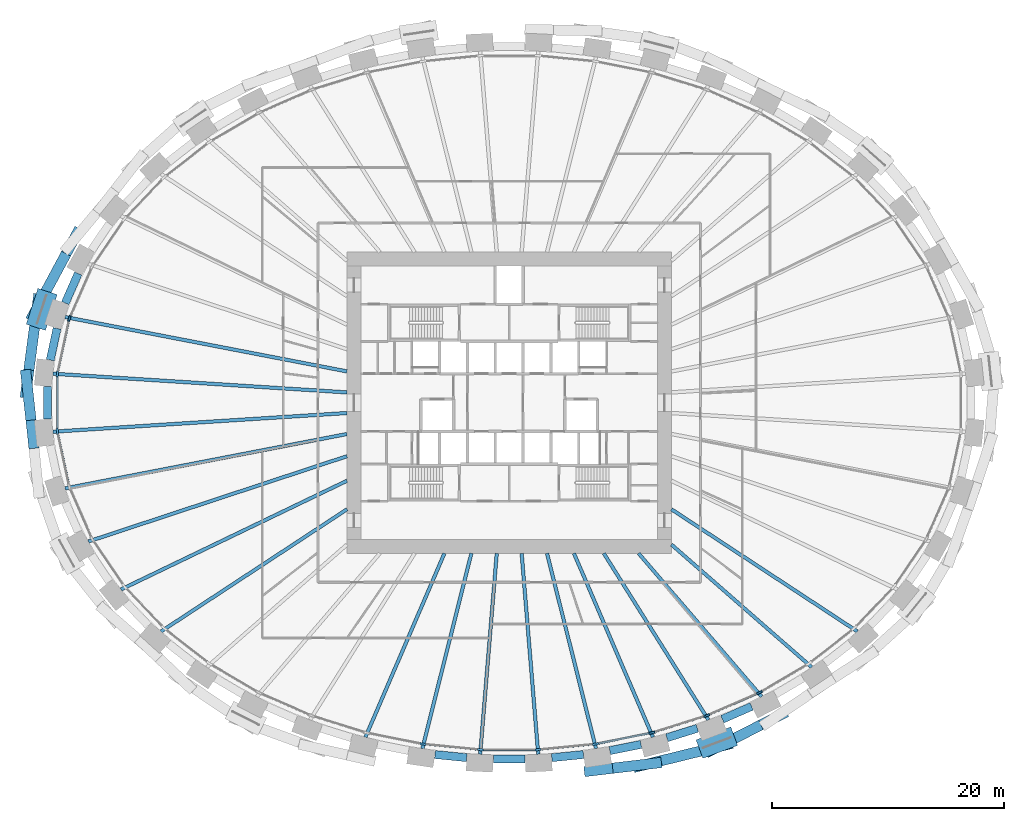
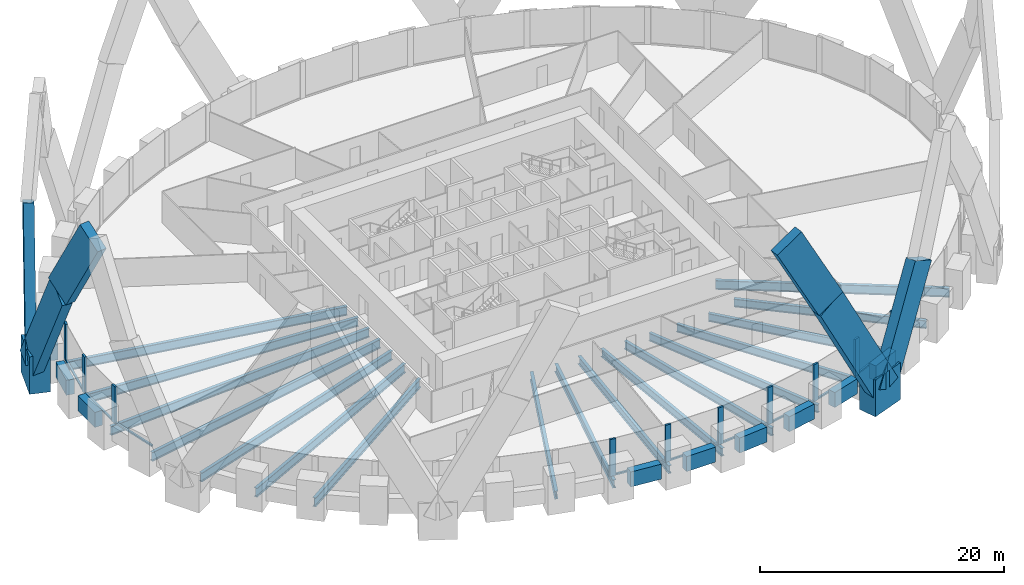
# One storey, part 2 of 13: 27 members, 26 beams, 1 element without a shape of its own.
"""IFC4 building model written with IfcOpenShell, lengths in metres."""

from ifc_helpers import new_model, si_unit, direction, frame, origin, origin_2d, place, context, subcontext, project, spatial, rectangle, i_section, extrude, source, transform, mapped, material, material_profile, profile_set, type_object, element, aggregate, save


model = new_model("IFC4")

# Units and contexts
model_context = context("Model", 3, precision=1e-05, world=origin(), true_north=direction((0.0, 1.0)))
body_context = subcontext(model_context, "Body", "Model", "MODEL_VIEW")
ifc_project = project(units=[si_unit("LENGTHUNIT", "METRE"), si_unit("AREAUNIT", "SQUARE_METRE"), si_unit("VOLUMEUNIT", "CUBIC_METRE"), si_unit("PLANEANGLEUNIT", "RADIAN"), si_unit("MASSUNIT", "GRAM", prefix="KILO")], contexts=[model_context])

# Site, building, storey
site_placement = place(None, origin())
site = spatial("IfcSite", under=ifc_project, at=site_placement, CompositionType="ELEMENT")
building_placement = place(site_placement, origin())
building = spatial("IfcBuilding", under=site, at=building_placement, Name="Embergate Tower", CompositionType="ELEMENT")
storey_placement = place(building_placement, frame((0.0, 0.0, 105.5)))
storey = spatial("IfcBuildingStorey", under=building, at=storey_placement, Name="L22", CompositionType="ELEMENT", Elevation=105.5)

# Beams
ifc_material_1 = material(Name="Concrete C70", Category="concrete")
ifc_material_profile_1 = material_profile(ifc_material_1, rectangle(XDim=0.699951171875, YDim=1.5, at=origin_2d()), Name="RC 700x1500")
ifc_profile_set_1 = profile_set([ifc_material_profile_1], Name="Concrete C70")
beam_type_1 = type_object("IfcBeamType", Name="Spandrel beam RC 700x1500 C70", PredefinedType="BEAM", material=ifc_profile_set_1)
shared_shape_1 = source(origin(), body_context, "Body", "SweptSolid", [
    extrude(rectangle(XDim=0.699951171875, YDim=1.5, at=origin_2d()), origin(), (0.0, 0.0, 1.0), 2.789306640625),
])
beam_1_placement = place(storey_placement, frame((-39.02001953125, 6.409912109375, 0.0), z_axis=(-0.210419662527, -0.977611152566, 0.0), x_axis=(0.977611152566, -0.210419662527, 0.0)))
element("IfcBeam", 1, at=beam_1_placement, inside=storey, type_object=beam_type_1, Name="SPN-L22-20", PredefinedType="BEAM", context=body_context, shape_type="MappedRepresentation", body=[
    mapped(shared_shape_1, transform((0.0, 0.0, 0.0))),
])
shared_shape_2 = source(origin(), body_context, "Body", "SweptSolid", [
    extrude(rectangle(XDim=0.699951171875, YDim=1.5, at=origin_2d()), origin(), (0.0, 0.0, 1.0), 2.78564453125),
])
beam_2_placement = place(storey_placement, frame((-37.193115234375, 11.14892578125, 0.0), z_axis=(-0.401669232295, -0.915784815242, 0.0), x_axis=(0.915784815242, -0.401669232295, 0.0)))
element("IfcBeam", 2, at=beam_2_placement, inside=storey, type_object=beam_type_1, Name="SPN-L22-19", PredefinedType="BEAM", context=body_context, shape_type="MappedRepresentation", body=[
    mapped(shared_shape_2, transform((0.0, 0.0, 0.0))),
])
shared_shape_3 = source(origin(), body_context, "Body", "SweptSolid", [
    extrude(rectangle(XDim=0.699951171875, YDim=1.5, at=origin_2d()), origin(), (0.0, 0.0, 1.0), 2.75537109375),
])
beam_3_placement = place(storey_placement, frame((18.39404296875, -27.31103515625, 0.0), z_axis=(0.916372764163, 0.400326063478, 0.0), x_axis=(-0.400326063478, 0.916372764163, 0.0)))
element("IfcBeam", 3, at=beam_3_placement, inside=storey, type_object=beam_type_1, Name="SPN-L22-36", PredefinedType="BEAM", context=body_context, shape_type="MappedRepresentation", body=[
    mapped(shared_shape_3, transform((0.0, 0.0, 0.0))),
])
shared_shape_4 = source(origin(), body_context, "Body", "SweptSolid", [
    extrude(rectangle(XDim=0.699951171875, YDim=1.5, at=origin_2d()), origin(), (0.0, 0.0, 1.0), 2.750732421875),
])
beam_4_placement = place(storey_placement, frame((13.60595703125, -28.9150390625, 0.0), z_axis=(0.954637769475, 0.297769590609, 0.0), x_axis=(-0.297769590609, 0.954637769475, 0.0)))
element("IfcBeam", 4, at=beam_4_placement, inside=storey, type_object=beam_type_1, Name="SPN-L22-35", PredefinedType="BEAM", context=body_context, shape_type="MappedRepresentation", body=[
    mapped(shared_shape_4, transform((0.0, 0.0, 0.0))),
])
shared_shape_5 = source(origin(), body_context, "Body", "SweptSolid", [
    extrude(rectangle(XDim=0.699951171875, YDim=1.5, at=origin_2d()), origin(), (0.0, 0.0, 1.0), 2.749755859375),
])
beam_5_placement = place(storey_placement, frame((8.680908203125, -30.02392578125, 0.0), z_axis=(0.98045412413, 0.196747834743, 0.0), x_axis=(-0.196747834743, 0.98045412413, 0.0)))
element("IfcBeam", 5, at=beam_5_placement, inside=storey, type_object=beam_type_1, Name="SPN-L22-34", PredefinedType="BEAM", context=body_context, shape_type="MappedRepresentation", body=[
    mapped(shared_shape_5, transform((0.0, 0.0, 0.0))),
])
shared_shape_6 = source(origin(), body_context, "Body", "SweptSolid", [
    extrude(rectangle(XDim=0.699951171875, YDim=1.5, at=origin_2d()), origin(), (0.0, 0.0, 1.0), 2.748291015625),
])
for number, where, z_axis, x_axis, name in (
    (6, (-6.406005859375, -30.363037109375, 0.0), (0.995196843386, -0.097894039223, 0.0), (0.097894039223, 0.995196843386, 0.0), "SPN-L22-31"),
    (7, (3.6708984375, -30.632080078125, 0.0), (0.995196843386, 0.097894039223, 0.0), (-0.097894039223, 0.995196843386, 0.0), "SPN-L22-33"),
):
    element("IfcBeam", number, at=place(storey_placement, frame(where, z_axis=z_axis, x_axis=x_axis)), inside=storey, type_object=beam_type_1, Name=name, PredefinedType="BEAM", context=body_context, shape_type="MappedRepresentation", body=[
        mapped(shared_shape_6, transform((0.0, 0.0, 0.0))),
    ])
shared_shape_7 = source(origin(), body_context, "Body", "SweptSolid", [
    extrude(rectangle(XDim=0.699951171875, YDim=1.5, at=origin_2d()), origin(), (0.0, 0.0, 1.0), 2.748046875),
])
beam_6_placement = place(storey_placement, frame((-1.3740234375, -30.7451171875, 0.0), z_axis=(1.0, 0.0, 0.0), x_axis=(0.0, 1.0, 0.0)))
element("IfcBeam", 8, at=beam_6_placement, inside=storey, type_object=beam_type_1, Name="SPN-L22-32", PredefinedType="BEAM", context=body_context, shape_type="MappedRepresentation", body=[
    mapped(shared_shape_7, transform((0.0, 0.0, 0.0))),
])
shared_shape_8 = source(origin(), body_context, "Body", "SweptSolid", [
    extrude(rectangle(XDim=0.699951171875, YDim=1.5, at=origin_2d()), origin(), (0.0, 0.0, 1.0), 2.7919921875),
])
beam_7_placement = place(storey_placement, frame((-39.85009765625, 1.39599609375, 0.0), z_axis=(0.0, -1.0, 0.0), x_axis=(1.0, 0.0, 0.0)))
element("IfcBeam", 9, at=beam_7_placement, inside=storey, type_object=beam_type_1, Name="SPN-L22-21", PredefinedType="BEAM", context=body_context, shape_type="MappedRepresentation", body=[
    mapped(shared_shape_8, transform((0.0, 0.0, 0.0))),
])
ifc_material_2 = material(Name="Steel Q355B", Category="steel")
ifc_material_profile_2 = material_profile(ifc_material_2, i_section(OverallWidth=0.300048828125, OverallDepth=0.89990234375, WebThickness=0.01611328125, FlangeThickness=0.028076171875, FilletRadius=0.028076171875, at=origin_2d()), Name="HN 900x300x16x28")
ifc_profile_set_2 = profile_set([ifc_material_profile_2], Name="Steel Q355 grade B")
beam_type_2 = type_object("IfcBeamType", Name="Radial girder HN 900x300x16x28", PredefinedType="BEAM", material=ifc_profile_set_2)
shared_shape_9 = source(origin(), body_context, "Body", "SweptSolid", [
    extrude(i_section(OverallWidth=0.300048828125, OverallDepth=0.89990234375, WebThickness=0.01611328125, FlangeThickness=0.028076171875, FilletRadius=0.028076171875, at=origin_2d()), origin(), (0.0, 0.0, 1.0), 25.43115234375),
])
for number, where, z_axis, x_axis, name in (
    (10, (-39.3798828125, 2.501953125, -0.64990234375), (0.997986432318, -0.063427761344, 0.0), (0.063427761344, 0.997986432318, 0.0), "GIR-L22-21"),
    (11, (-39.3798828125, -2.501953125, -0.64990234375), (0.997986432318, 0.063427761344, 0.0), (-0.063427761344, 0.997986432318, 0.0), "GIR-L22-22"),
):
    element("IfcBeam", number, at=place(storey_placement, frame(where, z_axis=z_axis, x_axis=x_axis)), inside=storey, type_object=beam_type_2, Name=name, PredefinedType="BEAM", context=body_context, shape_type="MappedRepresentation", body=[
        mapped(shared_shape_9, transform((0.0, 0.0, 0.0))),
    ])
shared_shape_10 = source(origin(), body_context, "Body", "SweptSolid", [
    extrude(i_section(OverallWidth=0.300048828125, OverallDepth=0.89990234375, WebThickness=0.01611328125, FlangeThickness=0.028076171875, FilletRadius=0.028076171875, at=origin_2d()), origin(), (0.0, 0.0, 1.0), 24.775390625),
])
for number, where, z_axis, x_axis, name in (
    (12, (-38.326904296875, 7.39404296875, -0.64990234375), (0.981895013442, -0.189425929, 0.0), (0.189425929, 0.981895013442, 0.0), "GIR-L22-20"),
    (13, (-38.326904296875, -7.39404296875, -0.64990234375), (0.981895013442, 0.189425929, 0.0), (-0.189425929, 0.981895013442, 0.0), "GIR-L22-23"),
):
    element("IfcBeam", number, at=place(storey_placement, frame(where, z_axis=z_axis, x_axis=x_axis)), inside=storey, type_object=beam_type_2, Name=name, PredefinedType="BEAM", context=body_context, shape_type="MappedRepresentation", body=[
        mapped(shared_shape_10, transform((0.0, 0.0, 0.0))),
    ])
shared_shape_11 = source(origin(), body_context, "Body", "SweptSolid", [
    extrude(i_section(OverallWidth=0.300048828125, OverallDepth=0.89990234375, WebThickness=0.01611328125, FlangeThickness=0.028076171875, FilletRadius=0.028076171875, at=origin_2d()), origin(), (0.0, 0.0, 1.0), 23.499267578125),
])
beam_8_placement = place(storey_placement, frame((-36.31689453125, -11.97705078125, -0.64990234375), z_axis=(0.949685213061, 0.31320599626, 0.0), x_axis=(-0.31320599626, 0.949685213061, 0.0)))
element("IfcBeam", 14, at=beam_8_placement, inside=storey, type_object=beam_type_2, Name="GIR-L22-24", PredefinedType="BEAM", context=body_context, shape_type="MappedRepresentation", body=[
    mapped(shared_shape_11, transform((0.0, 0.0, 0.0))),
])
shared_shape_12 = source(origin(), body_context, "Body", "SweptSolid", [
    extrude(i_section(OverallWidth=0.300048828125, OverallDepth=0.89990234375, WebThickness=0.01611328125, FlangeThickness=0.028076171875, FilletRadius=0.028076171875, at=origin_2d()), origin(), (0.0, 0.0, 1.0), 21.641357421875),
])
beam_9_placement = place(storey_placement, frame((-33.501953125, -16.116943359375, -0.64990234375), z_axis=(0.901145989674, 0.433515749765, 0.0), x_axis=(-0.433515749765, 0.901145989674, 0.0)))
element("IfcBeam", 15, at=beam_9_placement, inside=storey, type_object=beam_type_2, Name="GIR-L22-25", PredefinedType="BEAM", context=body_context, shape_type="MappedRepresentation", body=[
    mapped(shared_shape_12, transform((0.0, 0.0, 0.0))),
])
shared_shape_13 = source(origin(), body_context, "Body", "SweptSolid", [
    extrude(i_section(OverallWidth=0.300048828125, OverallDepth=0.89990234375, WebThickness=0.01611328125, FlangeThickness=0.028076171875, FilletRadius=0.028076171875, at=origin_2d()), origin(), (0.0, 0.0, 1.0), 19.19970703125),
])
for number, where, z_axis, x_axis, name in (
    (16, (-30.0458984375, -19.741943359375, -0.64990234375), (0.835740827345, 0.549124092996, 0.0), (-0.549124092996, 0.835740827345, 0.0), "GIR-L22-26"),
    (17, (30.0458984375, -19.741943359375, -0.64990234375), (-0.835740827345, 0.549124092996, 0.0), (-0.549124092996, -0.835740827345, 0.0), "GIR-L22-39"),
):
    element("IfcBeam", number, at=place(storey_placement, frame(where, z_axis=z_axis, x_axis=x_axis)), inside=storey, type_object=beam_type_2, Name=name, PredefinedType="BEAM", context=body_context, shape_type="MappedRepresentation", body=[
        mapped(shared_shape_13, transform((0.0, 0.0, 0.0))),
    ])
ifc_material_profile_3 = material_profile(ifc_material_2, i_section(OverallWidth=0.300048828125, OverallDepth=0.800048828125, WebThickness=0.013916015625, FlangeThickness=0.02587890625, FilletRadius=0.028076171875, at=origin_2d()), Name="HN 800x300x14x26")
ifc_profile_set_3 = profile_set([ifc_material_profile_3], Name="Steel Q355 grade B")
beam_type_3 = type_object("IfcBeamType", Name="Radial girder HN 800x300x14x26", PredefinedType="BEAM", material=ifc_profile_set_3)
shared_shape_14 = source(origin(), body_context, "Body", "SweptSolid", [
    extrude(i_section(OverallWidth=0.300048828125, OverallDepth=0.800048828125, WebThickness=0.013916015625, FlangeThickness=0.02587890625, FilletRadius=0.028076171875, at=origin_2d()), origin(), (0.0, 0.0, 1.0), 16.071533203125),
])
beam_10_placement = place(storey_placement, frame((26.097900390625, -22.822998046875, -0.60009765625), z_axis=(-0.752748875992, 0.658307777329, 0.0), x_axis=(-0.658307777329, -0.752748875992, 0.0)))
element("IfcBeam", 18, at=beam_10_placement, inside=storey, type_object=beam_type_3, Name="GIR-L22-38", PredefinedType="BEAM", context=body_context, shape_type="MappedRepresentation", body=[
    mapped(shared_shape_14, transform((0.0, 0.0, 0.0))),
])
shared_shape_15 = source(origin(), body_context, "Body", "SweptSolid", [
    extrude(i_section(OverallWidth=0.300048828125, OverallDepth=0.800048828125, WebThickness=0.013916015625, FlangeThickness=0.02587890625, FilletRadius=0.028076171875, at=origin_2d()), origin(), (0.0, 0.0, 1.0), 16.294677734375),
])
beam_11_placement = place(storey_placement, frame((21.779052734375, -25.362060546875, -0.60009765625), z_axis=(-0.651495635829, 0.758652381856, 0.0), x_axis=(-0.758652381856, -0.651495635829, 0.0)))
element("IfcBeam", 19, at=beam_11_placement, inside=storey, type_object=beam_type_3, Name="GIR-L22-37", PredefinedType="BEAM", context=body_context, shape_type="MappedRepresentation", body=[
    mapped(shared_shape_15, transform((0.0, 0.0, 0.0))),
])
shared_shape_16 = source(origin(), body_context, "Body", "SweptSolid", [
    extrude(i_section(OverallWidth=0.300048828125, OverallDepth=0.800048828125, WebThickness=0.013916015625, FlangeThickness=0.02587890625, FilletRadius=0.028076171875, at=origin_2d()), origin(), (0.0, 0.0, 1.0), 16.968017578125),
])
beam_12_placement = place(storey_placement, frame((17.18896484375, -27.368896484375, -0.60009765625), z_axis=(-0.53187684388, 0.846821718513, 0.0), x_axis=(-0.846821718513, -0.53187684388, 0.0)))
element("IfcBeam", 20, at=beam_12_placement, inside=storey, type_object=beam_type_3, Name="GIR-L22-36", PredefinedType="BEAM", context=body_context, shape_type="MappedRepresentation", body=[
    mapped(shared_shape_16, transform((0.0, 0.0, 0.0))),
])
shared_shape_17 = source(origin(), body_context, "Body", "SweptSolid", [
    extrude(i_section(OverallWidth=0.300048828125, OverallDepth=0.800048828125, WebThickness=0.013916015625, FlangeThickness=0.02587890625, FilletRadius=0.028076171875, at=origin_2d()), origin(), (0.0, 0.0, 1.0), 17.261962890625),
])
for number, where, z_axis, x_axis, name in (
    (21, (-12.405029296875, -28.85888671875, -0.60009765625), (0.394921038266, 0.918715066566, 0.0), (-0.918715066566, 0.394921038266, 0.0), "GIR-L22-30"),
    (22, (12.405029296875, -28.85888671875, -0.60009765625), (-0.394921038266, 0.918715066566, 0.0), (-0.918715066566, -0.394921038266, 0.0), "GIR-L22-35"),
):
    element("IfcBeam", number, at=place(storey_placement, frame(where, z_axis=z_axis, x_axis=x_axis)), inside=storey, type_object=beam_type_3, Name=name, PredefinedType="BEAM", context=body_context, shape_type="MappedRepresentation", body=[
        mapped(shared_shape_17, transform((0.0, 0.0, 0.0))),
    ])
shared_shape_18 = source(origin(), body_context, "Body", "SweptSolid", [
    extrude(i_section(OverallWidth=0.300048828125, OverallDepth=0.800048828125, WebThickness=0.013916015625, FlangeThickness=0.02587890625, FilletRadius=0.028076171875, at=origin_2d()), origin(), (0.0, 0.0, 1.0), 17.36669921875),
])
for number, where, z_axis, x_axis, name in (
    (23, (-7.491943359375, -29.843994140625, -0.60009765625), (0.243511287378, 0.969898063159, 0.0), (-0.969898063159, 0.243511287378, 0.0), "GIR-L22-31"),
    (24, (7.491943359375, -29.843994140625, -0.60009765625), (-0.243511287378, 0.969898063159, 0.0), (-0.969898063159, -0.243511287378, 0.0), "GIR-L22-34"),
):
    element("IfcBeam", number, at=place(storey_placement, frame(where, z_axis=z_axis, x_axis=x_axis)), inside=storey, type_object=beam_type_3, Name=name, PredefinedType="BEAM", context=body_context, shape_type="MappedRepresentation", body=[
        mapped(shared_shape_18, transform((0.0, 0.0, 0.0))),
    ])
shared_shape_19 = source(origin(), body_context, "Body", "SweptSolid", [
    extrude(i_section(OverallWidth=0.300048828125, OverallDepth=0.800048828125, WebThickness=0.013916015625, FlangeThickness=0.02587890625, FilletRadius=0.028076171875, at=origin_2d()), origin(), (0.0, 0.0, 1.0), 17.393798828125),
])
for number, where, z_axis, x_axis, name in (
    (25, (-2.5048828125, -30.3349609375, -0.60009765625), (0.082264860463, 0.996610502018, 0.0), (-0.996610502018, 0.082264860463, 0.0), "GIR-L22-32"),
    (26, (2.5048828125, -30.3349609375, -0.60009765625), (-0.082264860463, 0.996610502018, 0.0), (-0.996610502018, -0.082264860463, 0.0), "GIR-L22-33"),
):
    element("IfcBeam", number, at=place(storey_placement, frame(where, z_axis=z_axis, x_axis=x_axis)), inside=storey, type_object=beam_type_3, Name=name, PredefinedType="BEAM", context=body_context, shape_type="MappedRepresentation", body=[
        mapped(shared_shape_19, transform((0.0, 0.0, 0.0))),
    ])

# Members
ifc_material_profile_4 = material_profile(ifc_material_1, rectangle(XDim=1.699951171875, YDim=3.199951171875, at=origin_2d()), Name="RC 1700x3200")
ifc_profile_set_4 = profile_set([ifc_material_profile_4], Name="Concrete C70")
member_type_1 = type_object("IfcMemberType", Name="Lattice node block RC 1700x3200", PredefinedType="POST", material=ifc_profile_set_4)
shared_shape_20 = source(origin(), body_context, "Body", "SweptSolid", [
    extrude(rectangle(XDim=1.699951171875, YDim=3.199951171875, at=origin_2d()), origin(), (0.0, 0.0, 1.0), 3.7001953125),
])
member_1_placement = place(storey_placement, frame((17.919921875, -29.337890625, -1.85009765625), z_axis=(0.0, 0.0, 1.0), x_axis=(0.348343015724, -0.93736713373, 0.0)))
element("IfcMember", 27, at=member_1_placement, inside=storey, type_object=member_type_1, Name="NOD-L22-36", PredefinedType="POST", context=body_context, shape_type="MappedRepresentation", body=[
    mapped(shared_shape_20, transform((0.0, 0.0, 0.0))),
])
ifc_material_profile_5 = material_profile(ifc_material_1, rectangle(XDim=1.75, YDim=3.25, at=origin_2d()), Name="RC 1750x3250")
ifc_profile_set_5 = profile_set([ifc_material_profile_5], Name="Concrete C70")
member_type_2 = type_object("IfcMemberType", Name="Lattice node block RC 1750x3250", PredefinedType="POST", material=ifc_profile_set_5)
shared_shape_21 = source(origin(), body_context, "Body", "SweptSolid", [
    extrude(rectangle(XDim=1.75, YDim=3.25, at=origin_2d()), origin(), (0.0, 0.0, 1.0), 3.75),
])
member_2_placement = place(storey_placement, frame((-40.347900390625, 8.052001953125, -1.875), z_axis=(0.0, 0.0, 1.0), x_axis=(-0.950754033697, 0.309946394413, 0.0)))
element("IfcMember", 28, at=member_2_placement, inside=storey, type_object=member_type_2, Name="NOD-L22-20", PredefinedType="POST", context=body_context, shape_type="MappedRepresentation", body=[
    mapped(shared_shape_21, transform((0.0, 0.0, 0.0))),
])
ifc_material_profile_6 = material_profile(ifc_material_1, rectangle(XDim=0.89990234375, YDim=2.800048828125, at=origin_2d()), Name="RC 900x2800")
ifc_profile_set_6 = profile_set([ifc_material_profile_6], Name="Concrete C70")
member_type_3 = type_object("IfcMemberType", Name="Lattice diagonal terracotta-faced RC 900x2800", PredefinedType="BRACE", material=ifc_profile_set_6)
shared_shape_22 = source(origin(), body_context, "Body", "SweptSolid", [
    extrude(rectangle(XDim=0.89990234375, YDim=2.800048828125, at=origin_2d()), origin(), (0.0, 0.0, 1.0), 13.40087890625),
])
member_3_placement = place(storey_placement, frame((-40.74609375, 8.181884765625, 0.0), z_axis=(0.2303683482, 0.429747644578, 0.873067801564), x_axis=(-0.881354963931, 0.472454683069, 0.0)))
element("IfcMember", 29, at=member_3_placement, inside=storey, type_object=member_type_3, Name="BRC-L22-20-18-S00", PredefinedType="BRACE", context=body_context, shape_type="MappedRepresentation", body=[
    mapped(shared_shape_22, transform((0.0, 0.0, 0.0))),
])
shared_shape_23 = source(origin(), body_context, "Body", "SweptSolid", [
    extrude(rectangle(XDim=0.89990234375, YDim=2.800048828125, at=origin_2d()), origin(), (0.0, 0.0, 1.0), 13.4375),
])
member_4_placement = place(storey_placement, frame((-40.74609375, 8.181884765625, 0.0), z_axis=(-0.064443848105, -0.487589385843, 0.870691438602), x_axis=(0.991378562895, -0.131028794671, 0.0)))
element("IfcMember", 30, at=member_4_placement, inside=storey, type_object=member_type_3, Name="BRC-L22-20-22-S00", PredefinedType="BRACE", context=body_context, shape_type="MappedRepresentation", body=[
    mapped(shared_shape_23, transform((0.0, 0.0, 0.0))),
])
shared_shape_24 = source(origin(), body_context, "Body", "SweptSolid", [
    extrude(rectangle(XDim=0.89990234375, YDim=2.800048828125, at=origin_2d()), origin(), (0.0, 0.0, 1.0), 8.945068359375),
])
member_5_placement = place(storey_placement, frame((-41.612060546875, 1.6298828125, 11.699951171875), z_axis=(0.053439740258, -0.486607318216, 0.871984811806), x_axis=(0.994023670306, 0.109164751049, 0.0)))
element("IfcMember", 31, at=member_5_placement, inside=storey, type_object=member_type_3, Name="BRC-L22-20-22-S01", PredefinedType="BRACE", context=body_context, shape_type="MappedRepresentation", body=[
    mapped(shared_shape_24, transform((0.0, 0.0, 0.0))),
])
shared_shape_25 = source(origin(), body_context, "Body", "SweptSolid", [
    extrude(rectangle(XDim=0.89990234375, YDim=2.800048828125, at=origin_2d()), origin(), (0.0, 0.0, 1.0), 13.29638671875),
])
member_6_placement = place(storey_placement, frame((18.049072265625, -29.68603515625, 0.0), z_axis=(-0.461406924695, -0.113180480076, 0.879939673372), x_axis=(0.238231845406, -0.971208313306, 0.0)))
element("IfcMember", 32, at=member_6_placement, inside=storey, type_object=member_type_3, Name="BRC-L22-36-34-S00", PredefinedType="BRACE", context=body_context, shape_type="MappedRepresentation", body=[
    mapped(shared_shape_25, transform((0.0, 0.0, 0.0))),
])
shared_shape_26 = source(origin(), body_context, "Body", "SweptSolid", [
    extrude(rectangle(XDim=0.89990234375, YDim=2.800048828125, at=origin_2d()), origin(), (0.0, 0.0, 1.0), 8.87646484375),
])
member_7_placement = place(storey_placement, frame((11.9140625, -31.19091796875, 11.699951171875), z_axis=(-0.474058653403, -0.055778077808, 0.878724757344), x_axis=(0.116854620261, -0.993149030974, 0.0)))
element("IfcMember", 33, at=member_7_placement, inside=storey, type_object=member_type_3, Name="BRC-L22-36-34-S01", PredefinedType="BRACE", context=body_context, shape_type="MappedRepresentation", body=[
    mapped(shared_shape_26, transform((0.0, 0.0, 0.0))),
])
shared_shape_27 = source(origin(), body_context, "Body", "SweptSolid", [
    extrude(rectangle(XDim=0.89990234375, YDim=2.800048828125, at=origin_2d()), origin(), (0.0, 0.0, 1.0), 11.12646484375),
])
member_8_placement = place(storey_placement, frame((18.049072265625, -29.68603515625, 0.0), z_axis=(0.428884813589, 0.219489143064, 0.876288955054), x_axis=(-0.455574014379, 0.890197909132, 0.0)))
element("IfcMember", 34, at=member_8_placement, inside=storey, type_object=member_type_3, Name="BRC-L22-36-38-S00", PredefinedType="BRACE", context=body_context, shape_type="MappedRepresentation", body=[
    mapped(shared_shape_27, transform((0.0, 0.0, 0.0))),
])

# Curtain wall, members
ifc_material_3 = material(Name="Aluminium and glass", Category="aluminium")
curtain_wall_type = type_object("IfcCurtainWallType", Name="Recessed office glazing", PredefinedType="NOTDEFINED", material=ifc_material_3)
curtain_wall_placement = place(storey_placement, origin())
curtain_wall = element("IfcCurtainWall", 35, at=curtain_wall_placement, inside=storey, type_object=curtain_wall_type, Name="Recessed office glazing ring", ObjectType="RECESSED OFFICE GLAZING", PredefinedType="USERDEFINED")
ifc_material_4 = material(Name="Aluminium, thermally broken", Category="aluminium")
ifc_material_profile_7 = material_profile(ifc_material_4, rectangle(XDim=0.179931640625, YDim=0.52001953125, at=origin_2d()), Name="AL 520x180")
ifc_profile_set_7 = profile_set([ifc_material_profile_7], Name="Aluminium, thermally broken")
member_type_4 = type_object("IfcMemberType", Name="Office mullion", PredefinedType="MULLION", material=ifc_profile_set_7)
shared_shape_28 = source(origin(), body_context, "Body", "SweptSolid", [
    extrude(rectangle(XDim=0.179931640625, YDim=0.52001953125, at=origin_2d()), origin(), (0.0, 0.0, 1.0), 3.699951171875),
])
member_9_placement = place(storey_placement, frame((-37.95654296875, 7.272705078125, 0.0), z_axis=(0.0, 0.0, 1.0), x_axis=(0.951501556643, -0.307643930065, 0.0)))
member_9 = element("IfcMember", 36, at=member_9_placement, type_object=member_type_4, Name="CW mullion 21", PredefinedType="MULLION", context=body_context, shape_type="MappedRepresentation", body=[
    mapped(shared_shape_28, transform((0.0, 0.0, 0.0))),
])
member_10_placement = place(storey_placement, frame((-38.9921875, 2.4599609375, 0.0), z_axis=(0.0, 0.0, 1.0), x_axis=(0.994385324123, -0.105819786286, 0.0)))
member_10 = element("IfcMember", 37, at=member_10_placement, type_object=member_type_4, Name="CW mullion 22", PredefinedType="MULLION", context=body_context, shape_type="MappedRepresentation", body=[
    mapped(shared_shape_28, transform((0.0, 0.0, 0.0))),
])
member_11_placement = place(storey_placement, frame((-38.9921875, -2.4599609375, 0.0), z_axis=(0.0, 0.0, 1.0), x_axis=(0.994385324123, 0.105819786286, 0.0)))
member_11 = element("IfcMember", 38, at=member_11_placement, type_object=member_type_4, Name="CW mullion 23", PredefinedType="MULLION", context=body_context, shape_type="MappedRepresentation", body=[
    mapped(shared_shape_28, transform((0.0, 0.0, 0.0))),
])
member_12_placement = place(storey_placement, frame((-7.434814453125, -29.458984375, 0.0), z_axis=(0.0, 0.0, 1.0), x_axis=(0.147415835341, 0.989074603602, 0.0)))
member_12 = element("IfcMember", 39, at=member_12_placement, type_object=member_type_4, Name="CW mullion 32", PredefinedType="MULLION", context=body_context, shape_type="MappedRepresentation", body=[
    mapped(shared_shape_28, transform((0.0, 0.0, 0.0))),
])
member_13_placement = place(storey_placement, frame((-2.486328125, -29.9453125, 0.0), z_axis=(0.0, 0.0, 1.0), x_axis=(0.048971796621, 0.998800161762, 0.0)))
member_13 = element("IfcMember", 40, at=member_13_placement, type_object=member_type_4, Name="CW mullion 33", PredefinedType="MULLION", context=body_context, shape_type="MappedRepresentation", body=[
    mapped(shared_shape_28, transform((0.0, 0.0, 0.0))),
])
member_14_placement = place(storey_placement, frame((2.486328125, -29.9453125, 0.0), z_axis=(0.0, 0.0, 1.0), x_axis=(-0.048971796621, 0.998800161762, 0.0)))
member_14 = element("IfcMember", 41, at=member_14_placement, type_object=member_type_4, Name="CW mullion 34", PredefinedType="MULLION", context=body_context, shape_type="MappedRepresentation", body=[
    mapped(shared_shape_28, transform((0.0, 0.0, 0.0))),
])
member_15_placement = place(storey_placement, frame((7.434814453125, -29.458984375, 0.0), z_axis=(0.0, 0.0, 1.0), x_axis=(-0.147415835341, 0.989074603602, 0.0)))
member_15 = element("IfcMember", 42, at=member_15_placement, type_object=member_type_4, Name="CW mullion 35", PredefinedType="MULLION", context=body_context, shape_type="MappedRepresentation", body=[
    mapped(shared_shape_28, transform((0.0, 0.0, 0.0))),
])
member_16_placement = place(storey_placement, frame((12.30859375, -28.481201171875, 0.0), z_axis=(0.0, 0.0, 1.0), x_axis=(-0.247316954703, 0.968934633459, 0.0)))
member_16 = element("IfcMember", 43, at=member_16_placement, type_object=member_type_4, Name="CW mullion 36", PredefinedType="MULLION", context=body_context, shape_type="MappedRepresentation", body=[
    mapped(shared_shape_28, transform((0.0, 0.0, 0.0))),
])
member_17_placement = place(storey_placement, frame((17.052734375, -27.00390625, 0.0), z_axis=(0.0, 0.0, 1.0), x_axis=(-0.349510859141, 0.936932313106, 0.0)))
member_17 = element("IfcMember", 44, at=member_17_placement, type_object=member_type_4, Name="CW mullion 37", PredefinedType="MULLION", context=body_context, shape_type="MappedRepresentation", body=[
    mapped(shared_shape_28, transform((0.0, 0.0, 0.0))),
])
member_18_placement = place(storey_placement, frame((21.602294921875, -25.014404296875, 0.0), z_axis=(0.0, 0.0, 1.0), x_axis=(-0.454520708319, 0.890736170653, 0.0)))
member_18 = element("IfcMember", 45, at=member_18_placement, type_object=member_type_4, Name="CW mullion 38", PredefinedType="MULLION", context=body_context, shape_type="MappedRepresentation", body=[
    mapped(shared_shape_28, transform((0.0, 0.0, 0.0))),
])
ifc_material_profile_8 = material_profile(ifc_material_4, rectangle(XDim=0.179931640625, YDim=0.14990234375, at=origin_2d()), Name="AL 150x180")
ifc_profile_set_8 = profile_set([ifc_material_profile_8], Name="Aluminium, thermally broken")
member_type_5 = type_object("IfcMemberType", Name="Office sill transom", PredefinedType="USERDEFINED", material=ifc_profile_set_8)
shared_shape_29 = source(origin(), body_context, "Body", "SweptSolid", [
    extrude(rectangle(XDim=0.179931640625, YDim=0.14990234375, at=origin_2d()), origin(), (0.0, 0.0, 1.0), 4.40283203125),
])
member_19_placement = place(storey_placement, frame((-38.01123046875, 7.018310546875, 0.074951171875), z_axis=(-0.210384862648, -0.977618642196, 0.0), x_axis=(0.977618642196, -0.210384862648, 0.0)))
member_19 = element("IfcMember", 46, at=member_19_placement, type_object=member_type_5, Name="CW transom 21.1", ObjectType="TRANSOM", PredefinedType="USERDEFINED", context=body_context, shape_type="MappedRepresentation", body=[
    mapped(shared_shape_29, transform((0.0, 0.0, 0.0))),
])
member_20_placement = place(storey_placement, frame((-38.9375, -2.714111328125, 0.074951171875), z_axis=(0.210384862648, -0.977618642196, 0.0), x_axis=(0.977618642196, 0.210384862648, 0.0)))
member_20 = element("IfcMember", 47, at=member_20_placement, type_object=member_type_5, Name="CW transom 23.1", ObjectType="TRANSOM", PredefinedType="USERDEFINED", context=body_context, shape_type="MappedRepresentation", body=[
    mapped(shared_shape_29, transform((0.0, 0.0, 0.0))),
])
shared_shape_30 = source(origin(), body_context, "Body", "SweptSolid", [
    extrude(rectangle(XDim=0.179931640625, YDim=0.14990234375, at=origin_2d()), origin(), (0.0, 0.0, 1.0), 4.4453125),
])
member_21_placement = place(storey_placement, frame((17.291015625, -26.899658203125, 0.074951171875), z_axis=(0.916234206369, 0.400643081907, 0.0), x_axis=(-0.400643081907, 0.916234206369, 0.0)))
member_21 = element("IfcMember", 48, at=member_21_placement, type_object=member_type_5, Name="CW transom 37.1", ObjectType="TRANSOM", PredefinedType="USERDEFINED", context=body_context, shape_type="MappedRepresentation", body=[
    mapped(shared_shape_30, transform((0.0, 0.0, 0.0))),
])
shared_shape_31 = source(origin(), body_context, "Body", "SweptSolid", [
    extrude(rectangle(XDim=0.179931640625, YDim=0.14990234375, at=origin_2d()), origin(), (0.0, 0.0, 1.0), 4.448974609375),
])
member_22_placement = place(storey_placement, frame((12.556884765625, -28.404052734375, 0.074951171875), z_axis=(0.954779260894, 0.297315594892, 0.0), x_axis=(-0.297315594892, 0.954779260894, 0.0)))
member_22 = element("IfcMember", 49, at=member_22_placement, type_object=member_type_5, Name="CW transom 36.1", ObjectType="TRANSOM", PredefinedType="USERDEFINED", context=body_context, shape_type="MappedRepresentation", body=[
    mapped(shared_shape_31, transform((0.0, 0.0, 0.0))),
])
shared_shape_32 = source(origin(), body_context, "Body", "SweptSolid", [
    extrude(rectangle(XDim=0.179931640625, YDim=0.14990234375, at=origin_2d()), origin(), (0.0, 0.0, 1.0), 4.450927734375),
])
member_23_placement = place(storey_placement, frame((7.689697265625, -29.40771484375, 0.074951171875), z_axis=(0.980475049714, 0.196643527453, 0.0), x_axis=(-0.196643527453, 0.980475049714, 0.0)))
member_23 = element("IfcMember", 50, at=member_23_placement, type_object=member_type_5, Name="CW transom 35.1", ObjectType="TRANSOM", PredefinedType="USERDEFINED", context=body_context, shape_type="MappedRepresentation", body=[
    mapped(shared_shape_32, transform((0.0, 0.0, 0.0))),
])
shared_shape_33 = source(origin(), body_context, "Body", "SweptSolid", [
    extrude(rectangle(XDim=0.179931640625, YDim=0.14990234375, at=origin_2d()), origin(), (0.0, 0.0, 1.0), 4.4521484375),
])
member_24_placement = place(storey_placement, frame((-7.176025390625, -29.484375, 0.074951171875), z_axis=(0.99520353902, -0.097825947083, 0.0), x_axis=(0.097825947083, 0.99520353902, 0.0)))
member_24 = element("IfcMember", 51, at=member_24_placement, type_object=member_type_5, Name="CW transom 32.1", ObjectType="TRANSOM", PredefinedType="USERDEFINED", context=body_context, shape_type="MappedRepresentation", body=[
    mapped(shared_shape_33, transform((0.0, 0.0, 0.0))),
])
member_25_placement = place(storey_placement, frame((2.7451171875, -29.919921875, 0.074951171875), z_axis=(0.99520353902, 0.097825947083, 0.0), x_axis=(-0.097825947083, 0.99520353902, 0.0)))
member_25 = element("IfcMember", 52, at=member_25_placement, type_object=member_type_5, Name="CW transom 34.1", ObjectType="TRANSOM", PredefinedType="USERDEFINED", context=body_context, shape_type="MappedRepresentation", body=[
    mapped(shared_shape_33, transform((0.0, 0.0, 0.0))),
])
shared_shape_34 = source(origin(), body_context, "Body", "SweptSolid", [
    extrude(rectangle(XDim=0.179931640625, YDim=0.14990234375, at=origin_2d()), origin(), (0.0, 0.0, 1.0), 4.45263671875),
])
member_26_placement = place(storey_placement, frame((-2.226318359375, -29.9453125, 0.074951171875), z_axis=(1.0, 0.0, 0.0), x_axis=(0.0, 1.0, 0.0)))
member_26 = element("IfcMember", 53, at=member_26_placement, type_object=member_type_5, Name="CW transom 33.1", ObjectType="TRANSOM", PredefinedType="USERDEFINED", context=body_context, shape_type="MappedRepresentation", body=[
    mapped(shared_shape_34, transform((0.0, 0.0, 0.0))),
])
shared_shape_35 = source(origin(), body_context, "Body", "SweptSolid", [
    extrude(rectangle(XDim=0.179931640625, YDim=0.14990234375, at=origin_2d()), origin(), (0.0, 0.0, 1.0), 4.39990234375),
])
member_27_placement = place(storey_placement, frame((-38.9921875, 2.199951171875, 0.074951171875), z_axis=(0.0, -1.0, 0.0), x_axis=(1.0, 0.0, 0.0)))
member_27 = element("IfcMember", 54, at=member_27_placement, type_object=member_type_5, Name="CW transom 22.1", ObjectType="TRANSOM", PredefinedType="USERDEFINED", context=body_context, shape_type="MappedRepresentation", body=[
    mapped(shared_shape_35, transform((0.0, 0.0, 0.0))),
])
aggregate(curtain_wall, [member_9, member_10, member_11, member_12, member_13, member_14, member_15, member_16, member_17, member_18, member_19, member_27, member_20, member_24, member_26, member_25, member_23, member_22, member_21])

save(model, "model.ifc")
